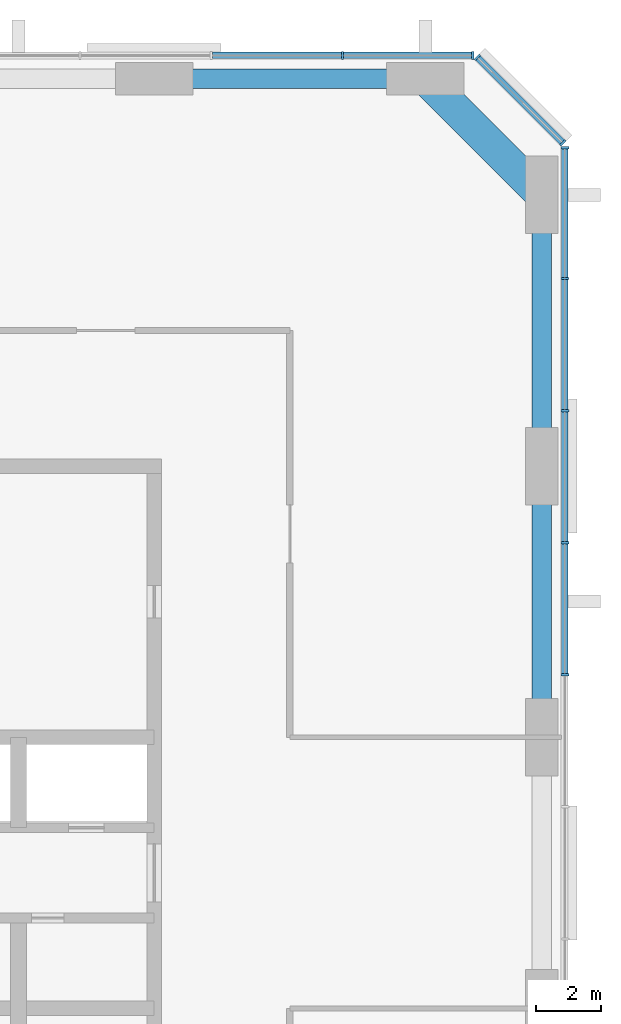
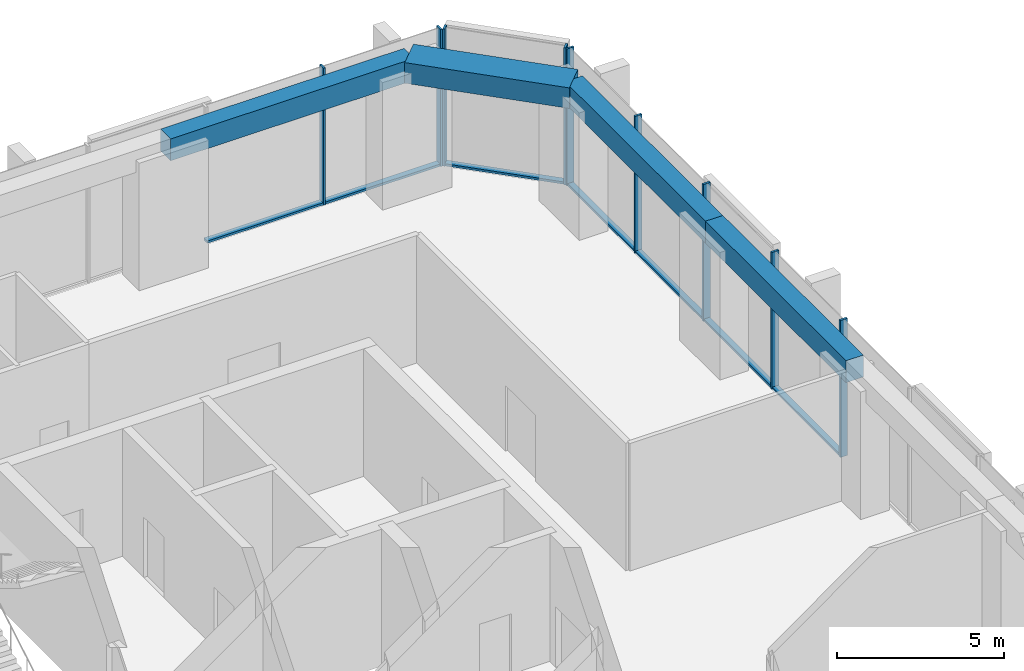
# One storey, part 5 of 9: 16 members, 4 beams, 3 elements without a shape of their own.
"""IFC4 building model written with IfcOpenShell, lengths in metres."""

from ifc_helpers import new_model, si_unit, direction, frame, origin, origin_2d, place, context, subcontext, project, spatial, rectangle, extrude, material, material_profile, profile_set, type_object, element, aggregate, save


model = new_model("IFC4")

# Units and contexts
model_context = context("Model", 3, precision=1e-05, world=origin(), true_north=direction((0.0, 1.0)))
body_context = subcontext(model_context, "Body", "Model", "MODEL_VIEW")
ifc_project = project(units=[si_unit("LENGTHUNIT", "METRE"), si_unit("AREAUNIT", "SQUARE_METRE"), si_unit("VOLUMEUNIT", "CUBIC_METRE"), si_unit("PLANEANGLEUNIT", "RADIAN"), si_unit("MASSUNIT", "GRAM", prefix="KILO")], contexts=[model_context])

# Site, building, storey
site_placement = place(None, origin())
site = spatial("IfcSite", under=ifc_project, at=site_placement, CompositionType="ELEMENT")
building_placement = place(site_placement, origin())
building = spatial("IfcBuilding", under=site, at=building_placement, Name="Dunama Terrace Hotel", CompositionType="ELEMENT")
storey_placement = place(building_placement, frame((0.0, 0.0, 284.10009765625)))
storey = spatial("IfcBuildingStorey", under=building, at=storey_placement, Name="L73", CompositionType="ELEMENT", Elevation=284.10009765625)

# Curtain wall, members
ifc_material_1 = material(Name="Aluminium curtain wall system", Category="aluminium")
curtain_wall_type = type_object("IfcCurtainWallType", Name="Unitised fritted glass wall CW-D", PredefinedType="NOTDEFINED", material=ifc_material_1)
curtain_wall_1_placement = place(storey_placement, origin())
curtain_wall_1 = element("IfcCurtainWall", 1, at=curtain_wall_1_placement, inside=storey, type_object=curtain_wall_type, Name="Unitised fritted glass wall CW-D L73", PredefinedType="NOTDEFINED")
ifc_material_2 = material(Name="Aluminium mullion", Category="aluminium")
ifc_material_profile_1 = material_profile(ifc_material_2, rectangle(XDim=0.070068359375, YDim=0.239990234375, at=origin_2d()), Name="CWD MULLION 70X240")
ifc_profile_set_1 = profile_set([ifc_material_profile_1], Name="Aluminium mullion")
member_type_1 = type_object("IfcMemberType", Name="CWD mullion 70x240", PredefinedType="MULLION", material=ifc_profile_set_1)
member_1_placement = place(storey_placement, frame((54.719970703125, 35.535888671875, 0.0), z_axis=(0.0, 0.0, 1.0), x_axis=(0.0, 1.0, 0.0)))
member_1 = element("IfcMember", 2, at=member_1_placement, type_object=member_type_1, Name="CWD mullion", PredefinedType="MULLION", context=body_context, shape_type="SweptSolid", body=[
    extrude(rectangle(XDim=0.070068359375, YDim=0.239990234375, at=origin_2d()), origin(), (0.0, 0.0, 1.0), 5.0),
])
member_2_placement = place(storey_placement, frame((54.719970703125, 39.626953125, 0.0), z_axis=(0.0, 0.0, 1.0), x_axis=(0.0, 1.0, 0.0)))
member_2 = element("IfcMember", 3, at=member_2_placement, type_object=member_type_1, Name="CWD mullion", PredefinedType="MULLION", context=body_context, shape_type="SweptSolid", body=[
    extrude(rectangle(XDim=0.070068359375, YDim=0.239990234375, at=origin_2d()), origin(), (0.0, 0.0, 1.0), 5.0),
])
member_3_placement = place(storey_placement, frame((54.719970703125, 43.718017578125, 0.0), z_axis=(0.0, 0.0, 1.0), x_axis=(0.0, 1.0, 0.0)))
member_3 = element("IfcMember", 4, at=member_3_placement, type_object=member_type_1, Name="CWD mullion", PredefinedType="MULLION", context=body_context, shape_type="SweptSolid", body=[
    extrude(rectangle(XDim=0.070068359375, YDim=0.239990234375, at=origin_2d()), origin(), (0.0, 0.0, 1.0), 5.0),
])
member_4_placement = place(storey_placement, frame((54.719970703125, 47.80908203125, 0.0), z_axis=(0.0, 0.0, 1.0), x_axis=(0.0, 1.0, 0.0)))
member_4 = element("IfcMember", 5, at=member_4_placement, type_object=member_type_1, Name="CWD mullion", PredefinedType="MULLION", context=body_context, shape_type="SweptSolid", body=[
    extrude(rectangle(XDim=0.070068359375, YDim=0.239990234375, at=origin_2d()), origin(), (0.0, 0.0, 1.0), 5.0),
])
member_5_placement = place(storey_placement, frame((54.719970703125, 51.864990234375, 0.0), z_axis=(0.0, 0.0, 1.0), x_axis=(0.0, 1.0, 0.0)))
member_5 = element("IfcMember", 6, at=member_5_placement, type_object=member_type_1, Name="CWD mullion", PredefinedType="MULLION", context=body_context, shape_type="SweptSolid", body=[
    extrude(rectangle(XDim=0.070068359375, YDim=0.239990234375, at=origin_2d()), origin(), (0.0, 0.0, 1.0), 5.0),
])

curtain_wall_2_placement = place(storey_placement, origin())
curtain_wall_2 = element("IfcCurtainWall", 7, at=curtain_wall_2_placement, inside=storey, type_object=curtain_wall_type, Name="Unitised fritted glass wall CW-D L73", PredefinedType="NOTDEFINED")
member_6_placement = place(storey_placement, frame((54.659912109375, 52.010009765625, 0.0), z_axis=(0.0, 0.0, 1.0), x_axis=(-0.707106781187, 0.707106781187, 0.0)))
member_6 = element("IfcMember", 8, at=member_6_placement, type_object=member_type_1, Name="CWD mullion", PredefinedType="MULLION", context=body_context, shape_type="SweptSolid", body=[
    extrude(rectangle(XDim=0.070068359375, YDim=0.239990234375, at=origin_2d()), origin(), (0.0, 0.0, 1.0), 5.0),
])
member_7_placement = place(storey_placement, frame((52.010009765625, 54.659912109375, 0.0), z_axis=(0.0, 0.0, 1.0), x_axis=(-0.707106781187, 0.707106781187, 0.0)))
member_7 = element("IfcMember", 9, at=member_7_placement, type_object=member_type_1, Name="CWD mullion", PredefinedType="MULLION", context=body_context, shape_type="SweptSolid", body=[
    extrude(rectangle(XDim=0.070068359375, YDim=0.239990234375, at=origin_2d()), origin(), (0.0, 0.0, 1.0), 5.0),
])

curtain_wall_3_placement = place(storey_placement, origin())
curtain_wall_3 = element("IfcCurtainWall", 10, at=curtain_wall_3_placement, inside=storey, type_object=curtain_wall_type, Name="Unitised fritted glass wall CW-D L73", PredefinedType="NOTDEFINED")
member_8_placement = place(storey_placement, frame((51.864990234375, 54.719970703125, 0.0), z_axis=(0.0, 0.0, 1.0), x_axis=(-1.0, 0.0, 0.0)))
member_8 = element("IfcMember", 11, at=member_8_placement, type_object=member_type_1, Name="CWD mullion", PredefinedType="MULLION", context=body_context, shape_type="SweptSolid", body=[
    extrude(rectangle(XDim=0.070068359375, YDim=0.239990234375, at=origin_2d()), origin(), (0.0, 0.0, 1.0), 5.0),
])
member_9_placement = place(storey_placement, frame((47.8330078125, 54.719970703125, 0.0), z_axis=(0.0, 0.0, 1.0), x_axis=(-1.0, 0.0, 0.0)))
member_9 = element("IfcMember", 12, at=member_9_placement, type_object=member_type_1, Name="CWD mullion", PredefinedType="MULLION", context=body_context, shape_type="SweptSolid", body=[
    extrude(rectangle(XDim=0.070068359375, YDim=0.239990234375, at=origin_2d()), origin(), (0.0, 0.0, 1.0), 5.0),
])

# Member
ifc_material_3 = material(Name="Aluminium transom", Category="aluminium")
ifc_material_profile_2 = material_profile(ifc_material_3, rectangle(XDim=0.199951171875, YDim=0.0849609375, at=origin_2d()), Name="CWD TRANSOM 200X85")
ifc_profile_set_2 = profile_set([ifc_material_profile_2], Name="Aluminium transom")
member_type_2 = type_object("IfcMemberType", Name="CWD transom 200x85", PredefinedType="USERDEFINED", material=ifc_profile_set_2)
member_10_placement = place(storey_placement, frame((54.719970703125, 35.571044921875, 0.04248046875), z_axis=(0.0, 1.0, 0.0), x_axis=(-1.0, 0.0, 0.0)))
member_10 = element("IfcMember", 13, at=member_10_placement, type_object=member_type_2, Name="CWD transom", ObjectType="TRANSOM", PredefinedType="USERDEFINED", context=body_context, shape_type="SweptSolid", body=[
    extrude(rectangle(XDim=0.199951171875, YDim=0.0849609375, at=origin_2d()), origin(), (0.0, 0.0, 1.0), 4.02099609375),
])

member_11_placement = place(storey_placement, frame((54.719970703125, 39.662109375, 0.04248046875), z_axis=(0.0, 1.0, 0.0), x_axis=(-1.0, 0.0, 0.0)))
member_11 = element("IfcMember", 14, at=member_11_placement, type_object=member_type_2, Name="CWD transom", ObjectType="TRANSOM", PredefinedType="USERDEFINED", context=body_context, shape_type="SweptSolid", body=[
    extrude(rectangle(XDim=0.199951171875, YDim=0.0849609375, at=origin_2d()), origin(), (0.0, 0.0, 1.0), 4.02099609375),
])

member_12_placement = place(storey_placement, frame((54.719970703125, 43.7529296875, 0.04248046875), z_axis=(0.0, 1.0, 0.0), x_axis=(-1.0, 0.0, 0.0)))
member_12 = element("IfcMember", 15, at=member_12_placement, type_object=member_type_2, Name="CWD transom", ObjectType="TRANSOM", PredefinedType="USERDEFINED", context=body_context, shape_type="SweptSolid", body=[
    extrude(rectangle(XDim=0.199951171875, YDim=0.0849609375, at=origin_2d()), origin(), (0.0, 0.0, 1.0), 4.02099609375),
])

member_13_placement = place(storey_placement, frame((54.719970703125, 47.843994140625, 0.04248046875), z_axis=(0.0, 1.0, 0.0), x_axis=(-1.0, 0.0, 0.0)))
member_13 = element("IfcMember", 16, at=member_13_placement, type_object=member_type_2, Name="CWD transom", ObjectType="TRANSOM", PredefinedType="USERDEFINED", context=body_context, shape_type="SweptSolid", body=[
    extrude(rectangle(XDim=0.199951171875, YDim=0.0849609375, at=origin_2d()), origin(), (0.0, 0.0, 1.0), 3.986083984375),
])

aggregate(curtain_wall_1, [member_1, member_2, member_3, member_4, member_5, member_10, member_11, member_12, member_13])

member_14_placement = place(storey_placement, frame((54.635009765625, 52.033935546875, 0.04248046875), z_axis=(-0.707106781187, 0.707106781187, 0.0), x_axis=(-0.707106781187, -0.707106781187, 0.0)))
member_14 = element("IfcMember", 17, at=member_14_placement, type_object=member_type_2, Name="CWD transom", ObjectType="TRANSOM", PredefinedType="USERDEFINED", context=body_context, shape_type="SweptSolid", body=[
    extrude(rectangle(XDim=0.199951171875, YDim=0.0849609375, at=origin_2d()), origin(), (0.0, 0.0, 1.0), 3.678466796875),
])

aggregate(curtain_wall_2, [member_6, member_7, member_14])

member_15_placement = place(storey_placement, frame((51.830078125, 54.719970703125, 0.04248046875), z_axis=(-1.0, 0.0, 0.0), x_axis=(0.0, -1.0, 0.0)))
member_15 = element("IfcMember", 18, at=member_15_placement, type_object=member_type_2, Name="CWD transom", ObjectType="TRANSOM", PredefinedType="USERDEFINED", context=body_context, shape_type="SweptSolid", body=[
    extrude(rectangle(XDim=0.199951171875, YDim=0.0849609375, at=origin_2d()), origin(), (0.0, 0.0, 1.0), 3.962158203125),
])

member_16_placement = place(storey_placement, frame((47.798095703125, 54.719970703125, 0.04248046875), z_axis=(-1.0, 0.0, 0.0), x_axis=(0.0, -1.0, 0.0)))
member_16 = element("IfcMember", 19, at=member_16_placement, type_object=member_type_2, Name="CWD transom", ObjectType="TRANSOM", PredefinedType="USERDEFINED", context=body_context, shape_type="SweptSolid", body=[
    extrude(rectangle(XDim=0.199951171875, YDim=0.0849609375, at=origin_2d()), origin(), (0.0, 0.0, 1.0), 3.99609375),
])

aggregate(curtain_wall_3, [member_8, member_9, member_15, member_16])

# Beams
ifc_material_4 = material(Name="Concrete C50/60", Category="concrete")
ifc_material_profile_3 = material_profile(ifc_material_4, rectangle(XDim=1.0, YDim=0.75, at=origin_2d()), Name="RC 1000x750")
ifc_profile_set_3 = profile_set([ifc_material_profile_3], Name="Concrete C50/60")
beam_type_1 = type_object("IfcBeamType", Name="Edge beam RC 1000x750", PredefinedType="SPANDREL", material=ifc_profile_set_3)
beam_placement = place(storey_placement, frame((50.39990234375, 54.0, 4.625), z_axis=(0.707106781187, -0.707106781187, 0.0), x_axis=(0.707106781187, 0.707106781187, 0.0)))
element("IfcBeam", 20, at=beam_placement, inside=storey, type_object=beam_type_1, Name="Corner edge beam under L74", PredefinedType="SPANDREL", context=body_context, shape_type="SweptSolid", body=[
    extrude(rectangle(XDim=1.0, YDim=0.75, at=origin_2d()), origin(), (0.0, 0.0, 1.0), 5.09130859375),
])
ifc_material_5 = material(Name="Concrete C40/50", Category="concrete")
ifc_material_profile_4 = material_profile(ifc_material_5, rectangle(XDim=0.60009765625, YDim=0.800048828125, at=origin_2d()), Name="RC 600x800")
ifc_profile_set_4 = profile_set([ifc_material_profile_4], Name="Concrete C40/50")
beam_type_2 = type_object("IfcBeamType", Name="Edge beam RC 600x800", PredefinedType="SPANDREL", material=ifc_profile_set_4)
for number, where, z_axis, x_axis, name in (
    (21, (54.0, 33.60009765625, 4.599853515625), (0.0, 1.0, 0.0), (-1.0, 0.0, 0.0), "Edge beam under L74"),
    (22, (54.0, 42.0, 4.599853515625), (0.0, 1.0, 0.0), (-1.0, 0.0, 0.0), "Edge beam under L74"),
    (23, (42.0, 54.0, 4.599853515625), (1.0, 0.0, 0.0), (0.0, 1.0, 0.0), "Edge beam under L74"),
):
    element("IfcBeam", number, at=place(storey_placement, frame(where, z_axis=z_axis, x_axis=x_axis)), inside=storey, type_object=beam_type_2, Name=name, PredefinedType="SPANDREL", context=body_context, shape_type="SweptSolid", body=[
        extrude(rectangle(XDim=0.60009765625, YDim=0.800048828125, at=origin_2d()), origin(), (0.0, 0.0, 1.0), 8.39990234375),
    ])

save(model, "model.ifc")
